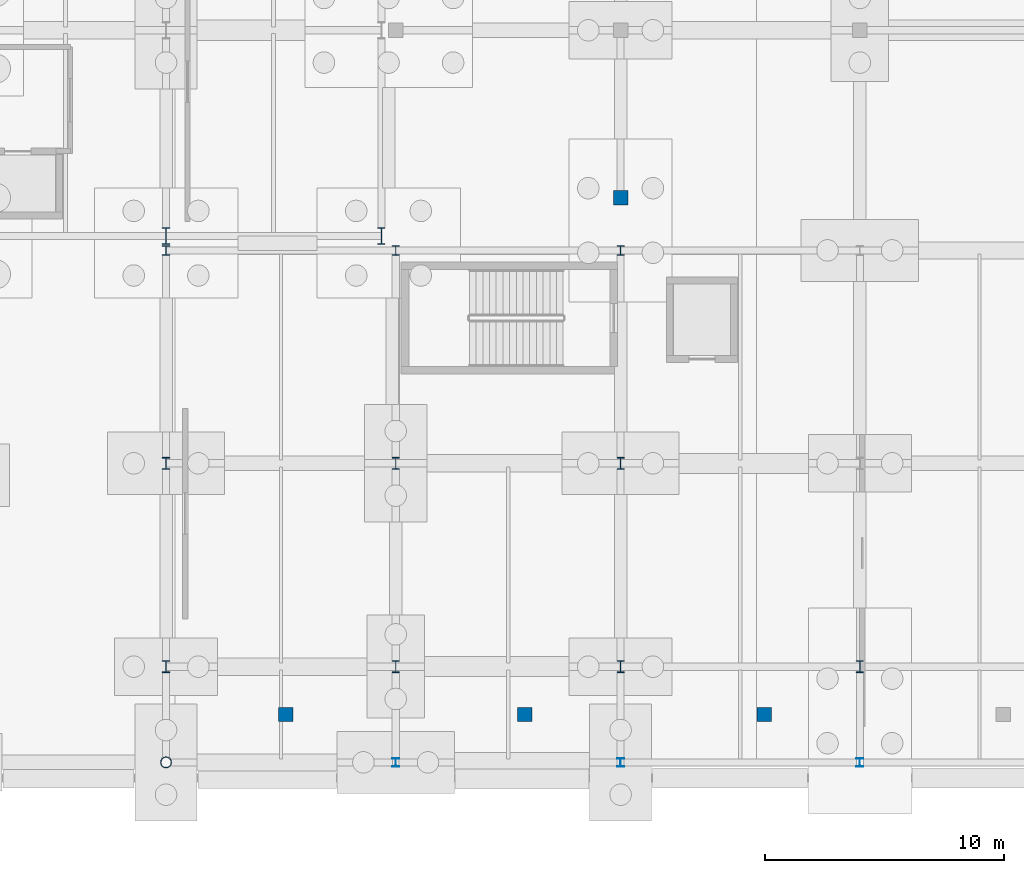
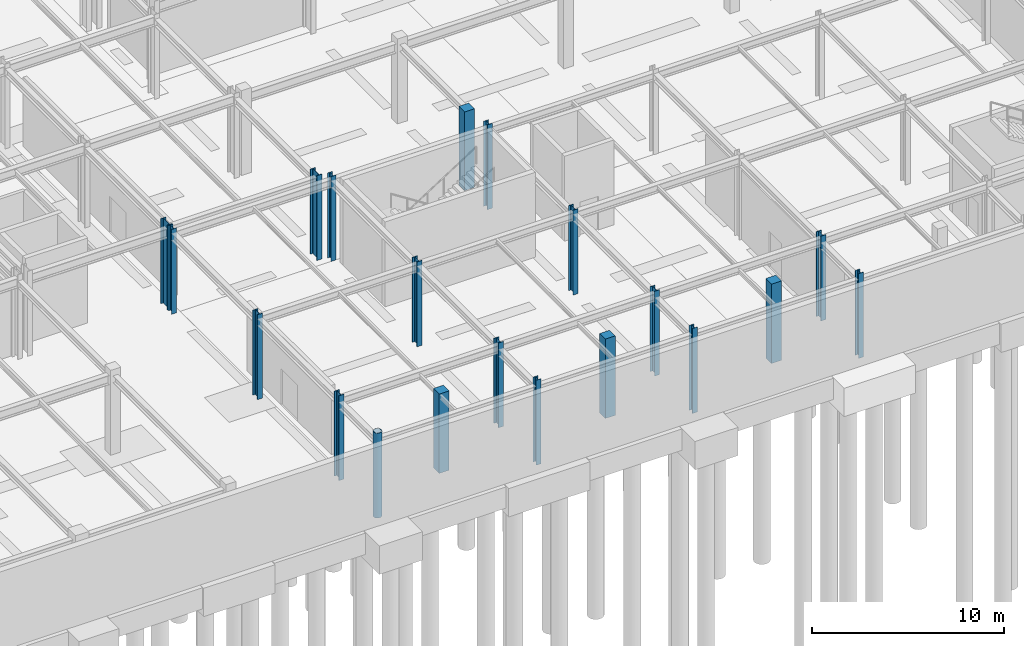
# One storey, part 26 of 65: 20 columns.
"""IFC4 building model written with IfcOpenShell, lengths in metres."""

from ifc_helpers import new_model, si_unit, direction, frame, origin, origin_2d, place, context, subcontext, project, spatial, rectangle, hollow_circle, i_section, extrude, material, material_profile, profile_set, type_object, element, save


model = new_model("IFC4")

# Units and contexts
model_context = context("Model", 3, precision=1e-05, world=origin(), true_north=direction((0.0, 1.0)))
body_context = subcontext(model_context, "Body", "Model", "MODEL_VIEW")
ifc_project = project(units=[si_unit("LENGTHUNIT", "METRE"), si_unit("AREAUNIT", "SQUARE_METRE"), si_unit("VOLUMEUNIT", "CUBIC_METRE"), si_unit("PLANEANGLEUNIT", "RADIAN"), si_unit("MASSUNIT", "GRAM", prefix="KILO")], contexts=[model_context])

# Site, building, storey
site_placement = place(None, origin())
site = spatial("IfcSite", under=ifc_project, at=site_placement, CompositionType="ELEMENT")
building_placement = place(site_placement, origin())
building = spatial("IfcBuilding", under=site, at=building_placement, Name="Kaldris Quays Convention Centre", CompositionType="ELEMENT")
storey_placement = place(building_placement, frame((0.0, 0.0, -5.39990234375)))
storey = spatial("IfcBuildingStorey", under=building, at=storey_placement, Name="B1", CompositionType="ELEMENT", Elevation=-5.39990234375)

# Columns
ifc_material_1 = material(Name="Steel S355J2", Category="steel")
ifc_material_profile_1 = material_profile(ifc_material_1, i_section(OverallWidth=0.300048828125, OverallDepth=0.699951171875, WebThickness=0.01708984375, FlangeThickness=0.031982421875, FilletRadius=0.027099609375, at=origin_2d()), Name="HEB 700")
ifc_profile_set_1 = profile_set([ifc_material_profile_1], Name="Steel S355J2")
column_type_1 = type_object("IfcColumnType", Name="STRUCTURAL COLUMN CL05", PredefinedType="COLUMN", material=ifc_profile_set_1)
for number, where, z_axis, x_axis, name in (
    (1, (155.0, 38.0, 0.0), (0.0, 0.0, 1.0), (1.0, 0.0, 0.0), "B1 V4 Column CL05 (155.00, 38.00)"),
    (2, (164.0, 38.0, 0.0), (0.0, 0.0, 1.0), (1.0, 0.0, 0.0), "B1 V4 Column CL05 (164.00, 38.00)"),
):
    element("IfcColumn", number, at=place(storey_placement, frame(where, z_axis=z_axis, x_axis=x_axis)), inside=storey, type_object=column_type_1, Name=name, PredefinedType="COLUMN", context=body_context, shape_type="SweptSolid", body=[
        extrude(i_section(OverallWidth=0.300048828125, OverallDepth=0.699951171875, WebThickness=0.01708984375, FlangeThickness=0.031982421875, FilletRadius=0.027099609375, at=origin_2d()), origin(), (0.0, 0.0, 1.0), 5.39990234375),
    ])
ifc_material_profile_2 = material_profile(ifc_material_1, i_section(OverallWidth=0.300048828125, OverallDepth=0.5, WebThickness=0.014404296875, FlangeThickness=0.028076171875, FilletRadius=0.027099609375, at=origin_2d()), Name="HEB 500")
ifc_profile_set_2 = profile_set([ifc_material_profile_2], Name="Steel S355J2")
column_type_2 = type_object("IfcColumnType", Name="STRUCTURAL COLUMN CL07", PredefinedType="COLUMN", material=ifc_profile_set_2)
for number, where, z_axis, x_axis, name in (
    (3, (155.0, 20.0, 0.0), (0.0, 0.0, 1.0), (1.0, 0.0, 0.0), "B1 V5 Column CL07 (155.00, 20.00)"),
    (4, (155.0, 28.5, 0.0), (0.0, 0.0, 1.0), (1.0, 0.0, 0.0), "B1 V5 Column CL07 (155.00, 28.50)"),
    (5, (164.60009765625, 20.0, 0.0), (0.0, 0.0, 1.0), (1.0, 0.0, 0.0), "B1 V5 Column CL07 (164.60, 20.00)"),
    (6, (164.60009765625, 28.5, 0.0), (0.0, 0.0, 1.0), (1.0, 0.0, 0.0), "B1 V5 Column CL07 (164.60, 28.50)"),
    (7, (174.0, 20.0, 0.0), (0.0, 0.0, 1.0), (1.0, 0.0, 0.0), "B1 V5 Column CL07 (174.00, 20.00)"),
    (8, (174.0, 28.5, 0.0), (0.0, 0.0, 1.0), (1.0, 0.0, 0.0), "B1 V5 Column CL07 (174.00, 28.50)"),
    (9, (184.0, 20.0, 0.0), (0.0, 0.0, 1.0), (1.0, 0.0, 0.0), "B1 V5 Column CL07 (184.00, 20.00)"),
):
    element("IfcColumn", number, at=place(storey_placement, frame(where, z_axis=z_axis, x_axis=x_axis)), inside=storey, type_object=column_type_2, Name=name, PredefinedType="COLUMN", context=body_context, shape_type="SweptSolid", body=[
        extrude(i_section(OverallWidth=0.300048828125, OverallDepth=0.5, WebThickness=0.014404296875, FlangeThickness=0.028076171875, FilletRadius=0.027099609375, at=origin_2d()), origin(), (0.0, 0.0, 1.0), 5.39990234375),
    ])
ifc_material_profile_3 = material_profile(ifc_material_1, i_section(OverallWidth=0.300048828125, OverallDepth=0.39990234375, WebThickness=0.013427734375, FlangeThickness=0.02392578125, FilletRadius=0.027099609375, at=origin_2d()), Name="HEB 400")
ifc_profile_set_3 = profile_set([ifc_material_profile_3], Name="Steel S355J2")
column_type_3 = type_object("IfcColumnType", Name="STRUCTURAL COLUMN CL09", PredefinedType="COLUMN", material=ifc_profile_set_3)
for number, where, z_axis, x_axis, name in (
    (10, (155.0, 37.39990234375, 0.0), (0.0, 0.0, 1.0), (1.0, 0.0, 0.0), "B1 V5 Column CL09 (155.00, 37.40)"),
    (11, (164.60009765625, 37.39990234375, 0.0), (0.0, 0.0, 1.0), (1.0, 0.0, 0.0), "B1 V5 Column CL09 (164.60, 37.40)"),
    (12, (174.0, 37.39990234375, 0.0), (0.0, 0.0, 1.0), (1.0, 0.0, 0.0), "B1 V5 Column CL09 (174.00, 37.40)"),
):
    element("IfcColumn", number, at=place(storey_placement, frame(where, z_axis=z_axis, x_axis=x_axis)), inside=storey, type_object=column_type_3, Name=name, PredefinedType="COLUMN", context=body_context, shape_type="SweptSolid", body=[
        extrude(i_section(OverallWidth=0.300048828125, OverallDepth=0.39990234375, WebThickness=0.013427734375, FlangeThickness=0.02392578125, FilletRadius=0.027099609375, at=origin_2d()), origin(), (0.0, 0.0, 1.0), 5.39990234375),
    ])
ifc_material_2 = material(Name="Concrete C40/50", Category="concrete")
ifc_material_profile_4 = material_profile(ifc_material_2, rectangle(XDim=0.60009765625, YDim=0.60009765625, at=origin_2d()), Name="RC 600x600")
ifc_profile_set_4 = profile_set([ifc_material_profile_4], Name="Concrete C40/50")
column_type_4 = type_object("IfcColumnType", Name="STRUCTURAL COLUMN CL15", PredefinedType="COLUMN", material=ifc_profile_set_4)
column_1_placement = place(storey_placement, frame((174.0, 39.60009765625, 0.0), z_axis=(0.0, 0.0, 1.0), x_axis=(1.0, 0.0, 0.0)))
element("IfcColumn", 13, at=column_1_placement, inside=storey, type_object=column_type_4, Name="B1 V4_apron Column CL15 (174.00, 39.60)", PredefinedType="COLUMN", context=body_context, shape_type="SweptSolid", body=[
    extrude(rectangle(XDim=0.60009765625, YDim=0.60009765625, at=origin_2d()), origin(), (0.0, 0.0, 1.0), 5.0048828125),
])
for number, where, z_axis, x_axis, name in (
    (14, (160.0, 18.0, 0.0), (0.0, 0.0, 1.0), (1.0, 0.0, 0.0), "B1 Colonnade Post Support Column CL15 1"),
    (15, (170.0, 18.0, 0.0), (0.0, 0.0, 1.0), (1.0, 0.0, 0.0), "B1 Colonnade Post Support Column CL15 2"),
    (16, (180.0, 18.0, 0.0), (0.0, 0.0, 1.0), (1.0, 0.0, 0.0), "B1 Colonnade Post Support Column CL15 3"),
):
    element("IfcColumn", number, at=place(storey_placement, frame(where, z_axis=z_axis, x_axis=x_axis)), inside=storey, type_object=column_type_4, Name=name, PredefinedType="COLUMN", context=body_context, shape_type="SweptSolid", body=[
        extrude(rectangle(XDim=0.60009765625, YDim=0.60009765625, at=origin_2d()), origin(), (0.0, 0.0, 1.0), 5.0498046875),
    ])
ifc_material_3 = material(Name="Steel S355J2H", Category="steel")
ifc_material_profile_5 = material_profile(ifc_material_3, hollow_circle(Radius=0.228515625, WallThickness=0.01611328125, at=origin_2d()), Name="CHS 457x16")
ifc_profile_set_5 = profile_set([ifc_material_profile_5], Name="Steel S355J2H")
column_type_5 = type_object("IfcColumnType", Name="STRUCTURAL COLUMN CL21", PredefinedType="COLUMN", material=ifc_profile_set_5)
column_2_placement = place(storey_placement, frame((155.0, 16.0, 0.0), z_axis=(0.0, 0.0, 1.0), x_axis=(1.0, 0.0, 0.0)))
element("IfcColumn", 17, at=column_2_placement, inside=storey, type_object=column_type_5, Name="B1 V5 Column CL21 (155.00, 16.00)", PredefinedType="COLUMN", context=body_context, shape_type="SweptSolid", body=[
    extrude(hollow_circle(Radius=0.228515625, WallThickness=0.01611328125, at=origin_2d()), origin(), (0.0, 0.0, 1.0), 5.39990234375),
])
ifc_material_profile_6 = material_profile(ifc_material_1, i_section(OverallWidth=0.300048828125, OverallDepth=0.35009765625, WebThickness=0.010009765625, FlangeThickness=0.017578125, FilletRadius=0.027099609375, at=origin_2d()), Name="HEA 360")
ifc_profile_set_6 = profile_set([ifc_material_profile_6], Name="Steel S355J2")
column_type_6 = type_object("IfcColumnType", Name="STRUCTURAL COLUMN PL01C", PredefinedType="PILASTER", material=ifc_profile_set_6)
for number, where, z_axis, x_axis, name in (
    (18, (164.60009765625, 16.0, 0.0), (0.0, 0.0, 1.0), (1.0, 0.0, 0.0), "B1 V5 Column PL01C (164.60, 16.00)"),
    (19, (174.0, 16.0, 0.0), (0.0, 0.0, 1.0), (1.0, 0.0, 0.0), "B1 V5 Column PL01C (174.00, 16.00)"),
    (20, (184.0, 16.0, 0.0), (0.0, 0.0, 1.0), (1.0, 0.0, 0.0), "B1 V5 Column PL01C (184.00, 16.00)"),
):
    element("IfcColumn", number, at=place(storey_placement, frame(where, z_axis=z_axis, x_axis=x_axis)), inside=storey, type_object=column_type_6, Name=name, PredefinedType="PILASTER", context=body_context, shape_type="SweptSolid", body=[
        extrude(i_section(OverallWidth=0.300048828125, OverallDepth=0.35009765625, WebThickness=0.010009765625, FlangeThickness=0.017578125, FilletRadius=0.027099609375, at=origin_2d()), origin(), (0.0, 0.0, 1.0), 5.39990234375),
    ])

save(model, "model.ifc")
